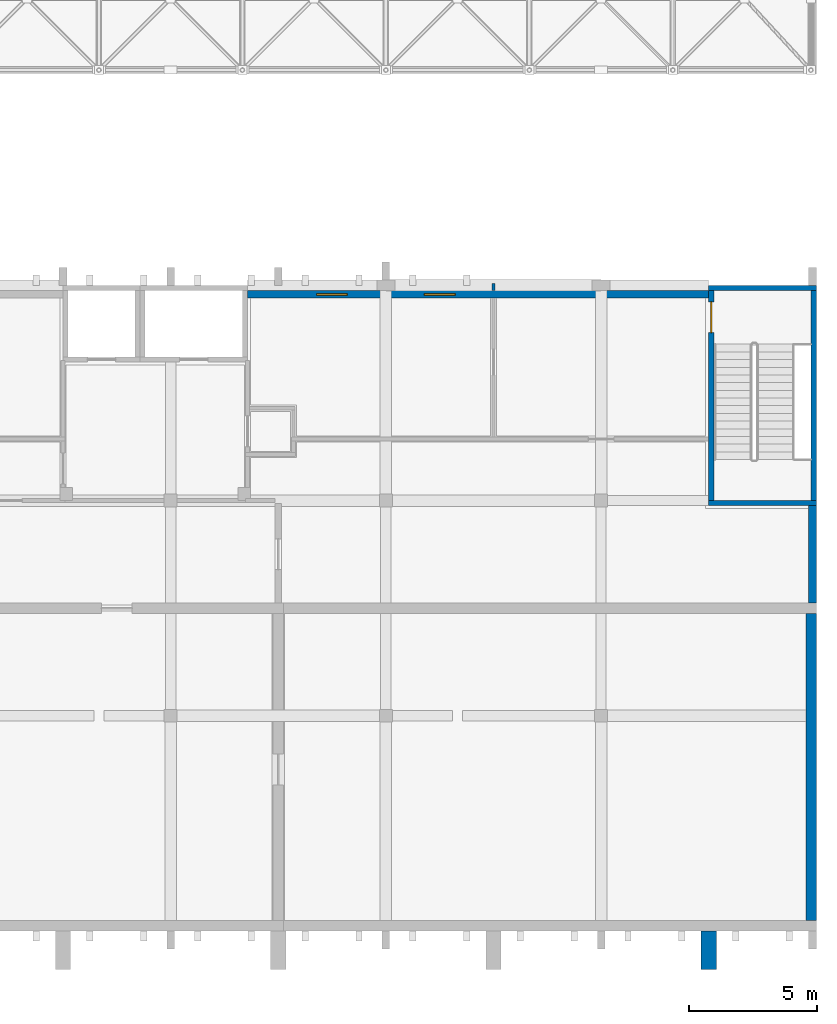
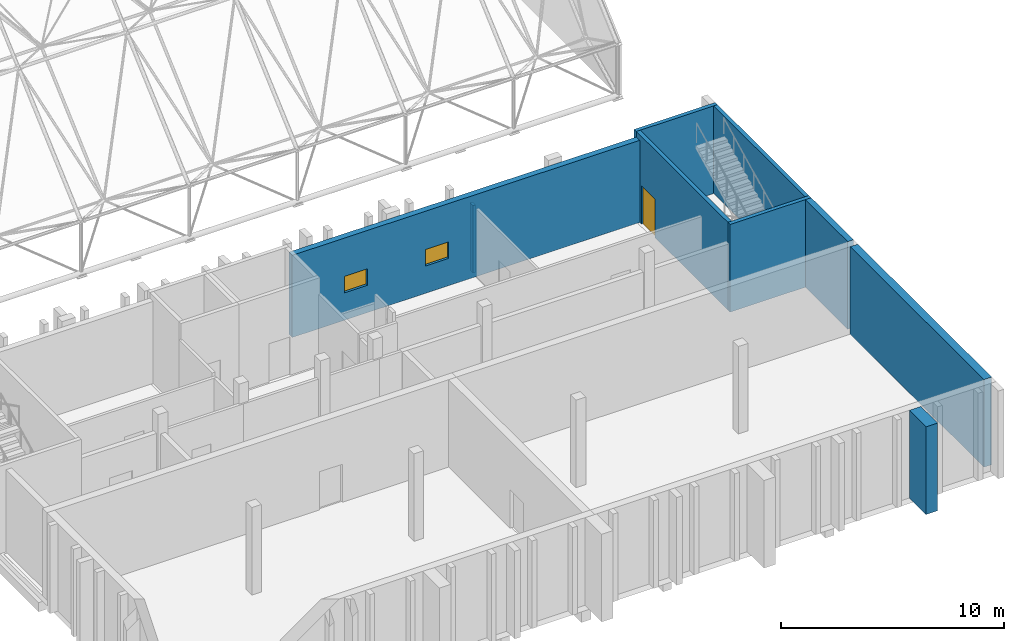
# One storey, part 72 of 100: 9 walls, 2 windows, 1 door, 3 openings.
"""IFC4 building model written with IfcOpenShell, lengths in metres."""

from ifc_helpers import new_model, si_unit, direction, frame, frame_2d, origin, place, context, subcontext, project, spatial, rectangle, extrude, material, layer, layer_set, type_object, element, fill, save


model = new_model("IFC4")

# Units and contexts
model_context = context("Model", 3, precision=1e-05, world=origin(), true_north=direction((0.0, 1.0)))
body_context = subcontext(model_context, "Body", "Model", "MODEL_VIEW")
ifc_project = project(units=[si_unit("LENGTHUNIT", "METRE"), si_unit("AREAUNIT", "SQUARE_METRE"), si_unit("VOLUMEUNIT", "CUBIC_METRE"), si_unit("PLANEANGLEUNIT", "RADIAN"), si_unit("MASSUNIT", "GRAM", prefix="KILO")], contexts=[model_context])

# Site, building, storey
site_placement = place(None, origin())
site = spatial("IfcSite", under=ifc_project, at=site_placement, CompositionType="ELEMENT")
building_placement = place(site_placement, origin())
building = spatial("IfcBuilding", under=site, at=building_placement, Name="Kiln Court Media Centre", CompositionType="ELEMENT")
storey_placement = place(building_placement, frame((0.0, 0.0, 15.0)))
storey = spatial("IfcBuildingStorey", under=building, at=storey_placement, Name="L03", CompositionType="ELEMENT", Elevation=15.0)

# Wall, openings, windows
ifc_material_1 = material(Name="Concrete C40/50", Category="concrete")
ifc_layer_1 = layer(ifc_material_1, 0.300048828125)
ifc_layer_set_1 = layer_set([ifc_layer_1], Name="Concrete C40/50 board-marked facade wall 300")
wall_type_1 = type_object("IfcWallType", Name="Concrete C40/50 board-marked facade wall 300", PredefinedType="SOLIDWALL", material=ifc_layer_set_1)
wall_1_placement = place(storey_placement, frame((145.800048828125, 24.85009765625, 0.0), z_axis=(0.0, 0.0, 1.0), x_axis=(1.0, 0.0, 0.0)))
wall_1 = element("IfcWall", 1, at=wall_1_placement, inside=storey, type_object=wall_type_1, Name="V5 N facade wall 4009", PredefinedType="SOLIDWALL", context=body_context, shape_type="SweptSolid", body=[
    extrude(rectangle(XDim=18.0, YDim=0.300048828125, at=frame_2d((9.0, 0.0))), origin(), (0.0, 0.0, 1.0), 4.5),
])
opening_1_placement = place(wall_1_placement, frame((2.699951171875, 0.0, 1.5)))
opening_1 = element("IfcOpeningElement", 2, at=opening_1_placement, cuts=wall_1, Name="Opening WN3501", PredefinedType="OPENING", context=body_context, shape_type="SweptSolid", body=[
    extrude(rectangle(XDim=1.199951171875, YDim=0.89990234375, at=frame_2d((0.60009765625, 0.449951171875))), frame((0.0, 0.159912109375, 0.0), z_axis=(0.0, -1.0, 0.0), x_axis=(1.0, 0.0, 0.0)), (0.0, 0.0, 1.0), 0.320068359375),
])
opening_2_placement = place(wall_1_placement, frame((6.89990234375, 0.0, 1.5)))
opening_2 = element("IfcOpeningElement", 3, at=opening_2_placement, cuts=wall_1, Name="Opening WN3502", PredefinedType="OPENING", context=body_context, shape_type="SweptSolid", body=[
    extrude(rectangle(XDim=1.199951171875, YDim=0.89990234375, at=frame_2d((0.60009765625, 0.449951171875))), frame((0.0, 0.159912109375, 0.0), z_axis=(0.0, -1.0, 0.0), x_axis=(1.0, 0.0, 0.0)), (0.0, 0.0, 1.0), 0.320068359375),
])
ifc_material_2 = material(Name="Aluminium 6063-T6", Category="aluminium")
window_type = type_object("IfcWindowType", Name="Aluminium control room window 1200x900", PartitioningType="SINGLE_PANEL", PredefinedType="WINDOW", material=ifc_material_2)
window_1_placement = place(opening_1_placement, origin())
window_1 = element("IfcWindow", 4, at=window_1_placement, inside=storey, type_object=window_type, Name="V5 N wc window", OverallHeight=0.89990234375, OverallWidth=1.199951171875, PartitioningType="SINGLE_PANEL", PredefinedType="WINDOW", context=body_context, shape_type="SweptSolid", body=[
    extrude(rectangle(XDim=1.199951171875, YDim=0.89990234375, at=frame_2d((0.60009765625, 0.449951171875))), frame((0.0, 0.030029296875, 0.0), z_axis=(0.0, -1.0, 0.0), x_axis=(1.0, 0.0, 0.0)), (0.0, 0.0, 1.0), 0.06005859375),
])
fill(opening_1, window_1)
window_2_placement = place(opening_2_placement, origin())
window_2 = element("IfcWindow", 5, at=window_2_placement, inside=storey, type_object=window_type, Name="V5 N wc window", OverallHeight=0.89990234375, OverallWidth=1.199951171875, PartitioningType="SINGLE_PANEL", PredefinedType="WINDOW", context=body_context, shape_type="SweptSolid", body=[
    extrude(rectangle(XDim=1.199951171875, YDim=0.89990234375, at=frame_2d((0.60009765625, 0.449951171875))), frame((0.0, 0.030029296875, 0.0), z_axis=(0.0, -1.0, 0.0), x_axis=(1.0, 0.0, 0.0)), (0.0, 0.0, 1.0), 0.06005859375),
])
fill(opening_2, window_2)

# Walls
ifc_material_3 = material(Name="Concrete C40/50", Category="concrete")
ifc_layer_2 = layer(ifc_material_3, 0.60009765625)
ifc_layer_set_2 = layer_set([ifc_layer_2], Name="Concrete C40/50 cast rib 600x1500")
wall_type_2 = type_object("IfcWallType", Name="Concrete C40/50 cast rib 600x1500", PredefinedType="SOLIDWALL", material=ifc_layer_set_2)
wall_2_placement = place(storey_placement, frame((163.800048828125, 0.0, 0.0), z_axis=(0.0, 0.0, 1.0), x_axis=(0.0, -1.0, 0.0)))
element("IfcWall", 6, at=wall_2_placement, inside=storey, type_object=wall_type_2, Name="V5 S cast rib 5", PredefinedType="SOLIDWALL", context=body_context, shape_type="SweptSolid", body=[
    extrude(rectangle(XDim=1.5, YDim=0.60009765625, at=frame_2d((0.75, 0.0))), origin(), (0.0, 0.0, 1.0), 4.800048828125),
])
ifc_material_4 = material(Name="Concrete C40/50", Category="concrete")
ifc_layer_3 = layer(ifc_material_4, 0.300048828125)
ifc_layer_set_3 = layer_set([ifc_layer_3], Name="Concrete C40/50 party wall 300")
wall_type_3 = type_object("IfcWallType", Name="Concrete C40/50 party wall 300", PredefinedType="SOLIDWALL", material=ifc_layer_set_3)
wall_3_placement = place(storey_placement, frame((167.849609375, 16.60009765625, 0.0), z_axis=(0.0, 0.0, 1.0), x_axis=(0.0, -1.0, 0.0)))
element("IfcWall", 7, at=wall_3_placement, inside=storey, type_object=wall_type_3, Name="L03-W-1088", PredefinedType="SOLIDWALL", context=body_context, shape_type="SweptSolid", body=[
    extrude(rectangle(XDim=3.800048828125, YDim=0.300048828125, at=frame_2d((1.89990234375, 0.0))), origin(), (0.0, 0.0, 1.0), 4.800048828125),
])
ifc_material_5 = material(Name="Concrete C40/50", Category="concrete")
ifc_layer_4 = layer(ifc_material_5, 0.199951171875)
ifc_layer_set_4 = layer_set([ifc_layer_4], Name="Concrete C40/50 shear wall 200")
wall_type_4 = type_object("IfcWallType", Name="Concrete C40/50 shear wall 200", PredefinedType="SHEAR", material=ifc_layer_set_4)
for number, where, z_axis, x_axis, name in (
    (8, (167.99951171875, 16.699951171875, 0.0), (0.0, 0.0, 1.0), (-1.0, 0.0, 0.0), "L03-W-1036"),
    (9, (163.800048828125, 25.10009765625, 0.0), (0.0, 0.0, 1.0), (1.0, 0.0, 0.0), "L03-W-1037"),
):
    element("IfcWall", number, at=place(storey_placement, frame(where, z_axis=z_axis, x_axis=x_axis)), inside=storey, type_object=wall_type_4, Name=name, PredefinedType="SHEAR", context=body_context, shape_type="SweptSolid", body=[
        extrude(rectangle(XDim=4.199462890625, YDim=0.199951171875, at=frame_2d((2.099609375, 0.0))), origin(), (0.0, 0.0, 1.0), 4.800048828125),
    ])

# Wall, opening, door
wall_4_placement = place(storey_placement, frame((163.89990234375, 16.800048828125, 0.0), z_axis=(0.0, 0.0, 1.0), x_axis=(0.0, 1.0, 0.0)))
wall_4 = element("IfcWall", 10, at=wall_4_placement, inside=storey, type_object=wall_type_4, Name="L03-W-1038", PredefinedType="SHEAR", context=body_context, shape_type="SweptSolid", body=[
    extrude(rectangle(XDim=8.199951171875, YDim=0.199951171875, at=frame_2d((4.10009765625, 0.0))), origin(), (0.0, 0.0, 1.0), 4.800048828125),
])
opening_3_placement = place(wall_4_placement, frame((6.550048828125, 0.0, 0.0)))
opening_3 = element("IfcOpeningElement", 11, at=opening_3_placement, cuts=wall_4, Name="Opening D3005", PredefinedType="OPENING", context=body_context, shape_type="SweptSolid", body=[
    extrude(rectangle(XDim=1.199951171875, YDim=2.10009765625, at=frame_2d((0.60009765625, 1.050048828125))), frame((0.0, 0.10986328125, 0.0), z_axis=(0.0, -1.0, 0.0), x_axis=(1.0, 0.0, 0.0)), (0.0, 0.0, 1.0), 0.219970703125),
])
ifc_material_6 = material(Name="Steel S275", Category="steel")
door_type = type_object("IfcDoorType", Name="Steel stair door 1200 x 2100 FD180", OperationType="SINGLE_SWING_LEFT", PredefinedType="DOOR", material=ifc_material_6)
door_placement = place(opening_3_placement, origin())
door = element("IfcDoor", 12, at=door_placement, inside=storey, type_object=door_type, Name="Stair 17 / Mastering Suite", OperationType="SINGLE_SWING_RIGHT", OverallHeight=2.10009765625, OverallWidth=1.199951171875, PredefinedType="DOOR", context=body_context, shape_type="SweptSolid", body=[
    extrude(rectangle(XDim=1.199951171875, YDim=2.10009765625, at=frame_2d((0.60009765625, 1.050048828125))), frame((0.0, 0.02490234375, 0.0), z_axis=(0.0, -1.0, 0.0), x_axis=(1.0, 0.0, 0.0)), (0.0, 0.0, 1.0), 0.050048828125),
])
fill(opening_3, door)

# Walls
wall_5_placement = place(storey_placement, frame((167.899658203125, 25.0, 0.0), z_axis=(0.0, 0.0, 1.0), x_axis=(0.0, -1.0, 0.0)))
element("IfcWall", 13, at=wall_5_placement, inside=storey, type_object=wall_type_4, Name="L03-W-1039", PredefinedType="SHEAR", context=body_context, shape_type="SweptSolid", body=[
    extrude(rectangle(XDim=8.199951171875, YDim=0.199951171875, at=frame_2d((4.10009765625, 0.0))), origin(), (0.0, 0.0, 1.0), 4.800048828125),
])
ifc_material_7 = material(Name="Concrete C40/50", Category="concrete")
ifc_layer_5 = layer(ifc_material_7, 0.39990234375)
ifc_layer_set_5 = layer_set([ifc_layer_5], Name="Concrete C40/50 studio wall 400")
wall_type_5 = type_object("IfcWallType", Name="Concrete C40/50 studio wall 400", PredefinedType="SHEAR", material=ifc_layer_set_5)
wall_6_placement = place(storey_placement, frame((167.799560546875, 12.39990234375, 0.0), z_axis=(0.0, 0.0, 1.0), x_axis=(0.0, -1.0, 0.0)))
element("IfcWall", 14, at=wall_6_placement, inside=storey, type_object=wall_type_5, Name="L03-W-1087", PredefinedType="SHEAR", context=body_context, shape_type="SweptSolid", body=[
    extrude(rectangle(XDim=12.0, YDim=0.39990234375, at=frame_2d((6.0, 0.0))), origin(), (0.0, 0.0, 1.0), 4.800048828125),
])
ifc_material_8 = material(Name="Gypsum plasterboard", Category="gypsum")
ifc_layer_6 = layer(ifc_material_8, 0.125)
ifc_layer_set_6 = layer_set([ifc_layer_6], Name="Gypsum wet-area partition 125")
wall_type_6 = type_object("IfcWallType", Name="Gypsum wet-area partition 125", PredefinedType="PARTITIONING", material=ifc_layer_set_6)
wall_7_placement = place(storey_placement, frame((155.39990234375, 25.0, 0.0), z_axis=(0.0, 0.0, 1.0), x_axis=(0.0, 1.0, 0.0)))
element("IfcWall", 15, at=wall_7_placement, inside=storey, type_object=wall_type_6, Name="L03 gypsum wet-area partition", PredefinedType="PARTITIONING", context=body_context, shape_type="SweptSolid", body=[
    extrude(rectangle(XDim=0.262451171875, YDim=0.125, at=frame_2d((0.13134765625, 0.0))), origin(), (0.0, 0.0, 1.0), 3.699951171875),
])

save(model, "model.ifc")
